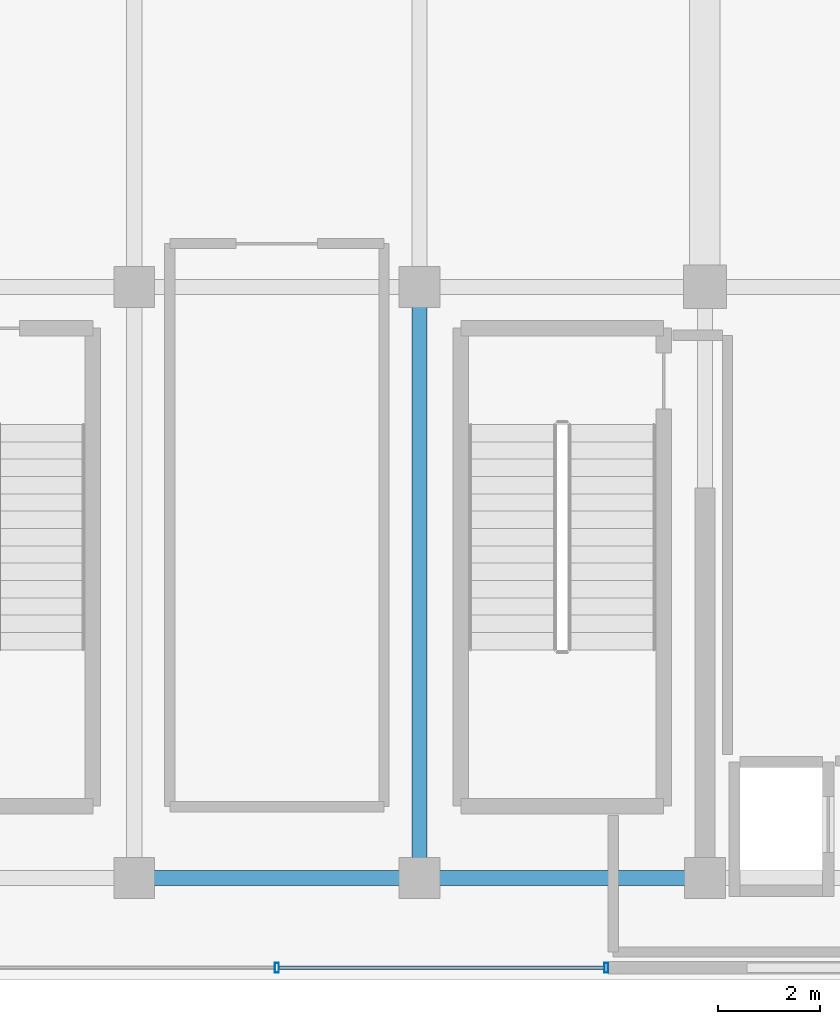
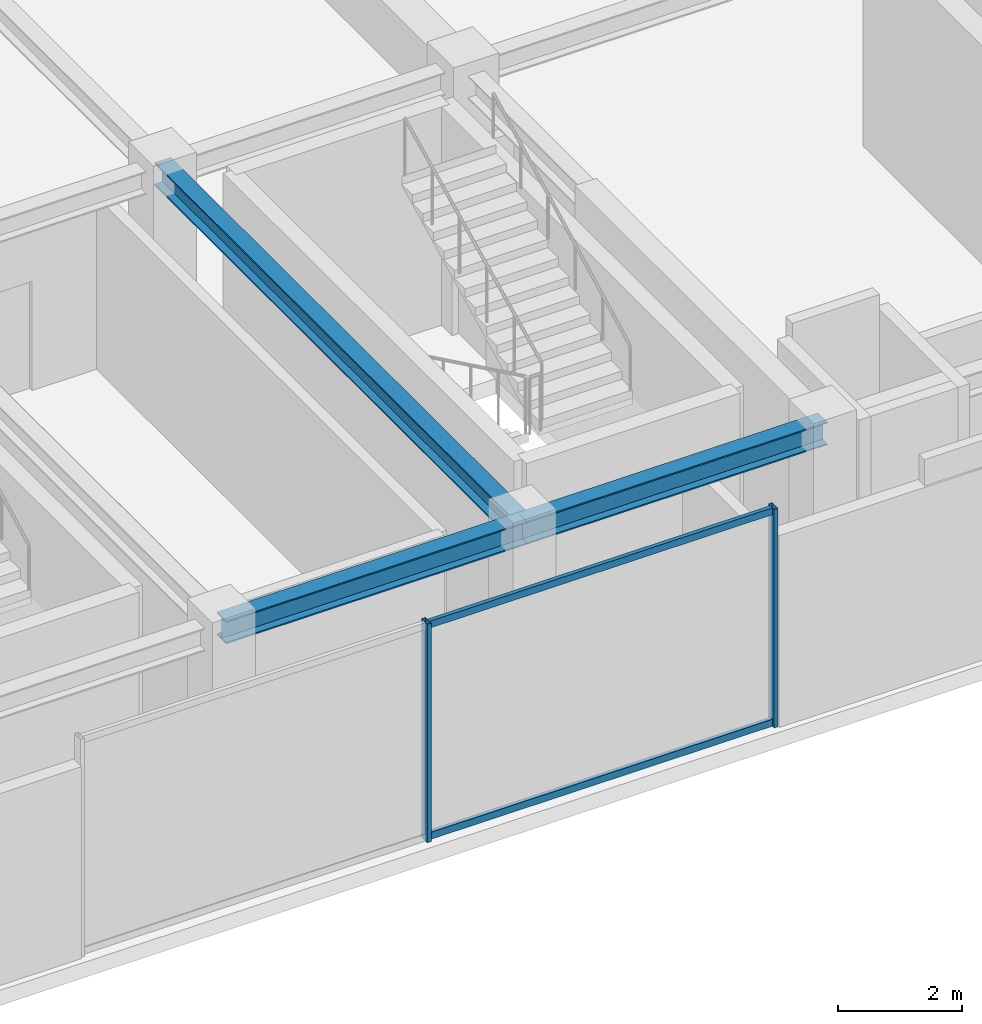
# One storey, part 4 of 18: 4 members, 3 beams, 1 element without a shape of its own.
"""IFC4 building model written with IfcOpenShell, lengths in metres."""

from ifc_helpers import new_model, si_unit, direction, frame, origin, origin_2d, place, context, subcontext, project, spatial, hollow_rectangle, i_section, extrude, source, transform, mapped, material, material_profile, profile_set, type_object, element, aggregate, save


model = new_model("IFC4")

# Units and contexts
model_context = context("Model", 3, precision=1e-05, world=origin(), true_north=direction((0.0, 1.0)))
body_context = subcontext(model_context, "Body", "Model", "MODEL_VIEW")
ifc_project = project(units=[si_unit("LENGTHUNIT", "METRE"), si_unit("AREAUNIT", "SQUARE_METRE"), si_unit("VOLUMEUNIT", "CUBIC_METRE"), si_unit("PLANEANGLEUNIT", "RADIAN"), si_unit("MASSUNIT", "GRAM", prefix="KILO")], contexts=[model_context])

# Site, building, storey
site_placement = place(None, origin())
site = spatial("IfcSite", under=ifc_project, at=site_placement, CompositionType="ELEMENT")
building_placement = place(site_placement, origin())
building = spatial("IfcBuilding", under=site, at=building_placement, Name="Nahalor Promenade Grand Hotel", CompositionType="ELEMENT")
storey_placement = place(building_placement, frame((0.0, 0.0, 366.25)))
storey = spatial("IfcBuildingStorey", under=building, at=storey_placement, Name="L93", CompositionType="ELEMENT", Elevation=366.25)

# Beams
ifc_material_1 = material(Name="Steel S355JR", Category="steel")
ifc_material_profile_1 = material_profile(ifc_material_1, i_section(OverallWidth=0.3, OverallDepth=0.45, WebThickness=0.014, FlangeThickness=0.026, at=origin_2d()), Name="HEB 450")
ifc_profile_set_1 = profile_set([ifc_material_profile_1], Name="Steel S355JR")
beam_type = type_object("IfcBeamType", Name="Beam-Girder-HEB450", PredefinedType="BEAM", material=ifc_profile_set_1)
shared_shape_1 = source(origin(), body_context, "Body", "SweptSolid", [
    extrude(i_section(OverallWidth=0.3, OverallDepth=0.45, WebThickness=0.014, FlangeThickness=0.026, at=origin_2d()), origin(), (0.0, 0.0, 1.0), 5.599853515625),
])
beam_1_placement = place(storey_placement, frame((2.800048828125, -17.0, 4.074951171875), z_axis=(1.0, 0.0, 0.0), x_axis=(0.0, 1.0, 0.0)))
element("IfcBeam", 1, at=beam_1_placement, inside=storey, type_object=beam_type, Name="BM-L93-GX-0-3", PredefinedType="BEAM", context=body_context, shape_type="MappedRepresentation", body=[
    mapped(shared_shape_1, transform((0.0, 0.0, 0.0), scale=1.0)),
])
shared_shape_2 = source(origin(), body_context, "Body", "SweptSolid", [
    extrude(i_section(OverallWidth=0.3, OverallDepth=0.45, WebThickness=0.014, FlangeThickness=0.026, at=origin_2d()), origin(), (0.0, 0.0, 1.0), 5.60009765625),
])
beam_2_placement = place(storey_placement, frame((-2.800048828125, -17.0, 4.074951171875), z_axis=(1.0, 0.0, 0.0), x_axis=(0.0, 1.0, 0.0)))
element("IfcBeam", 2, at=beam_2_placement, inside=storey, type_object=beam_type, Name="BM-L93-GX-0-2", PredefinedType="BEAM", context=body_context, shape_type="MappedRepresentation", body=[
    mapped(shared_shape_2, transform((0.0, 0.0, 0.0), scale=1.0)),
])
shared_shape_3 = source(origin(), body_context, "Body", "SweptSolid", [
    extrude(i_section(OverallWidth=0.3, OverallDepth=0.45, WebThickness=0.014, FlangeThickness=0.026, at=origin_2d()), origin(), (0.0, 0.0, 1.0), 11.60009765625),
])
beam_3_placement = place(storey_placement, frame((2.800048828125, -17.0, 4.074951171875), z_axis=(0.0, 1.0, 0.0), x_axis=(-1.0, 0.0, 0.0)))
element("IfcBeam", 3, at=beam_3_placement, inside=storey, type_object=beam_type, Name="BM-L93-GY-3-0", PredefinedType="BEAM", context=body_context, shape_type="MappedRepresentation", body=[
    mapped(shared_shape_3, transform((0.0, 0.0, 0.0), scale=1.0)),
])

# Curtain wall, members
ifc_material_2 = material(Name="Anodised Bronze Aluminium EN AW-6063 T6", Category="aluminium")
curtain_wall_type = type_object("IfcCurtainWallType", Name="CW6 Crown Botanical Conservatory Curtain Wall", PredefinedType="USERDEFINED", material=ifc_material_2)
curtain_wall_placement = place(storey_placement, origin())
curtain_wall = element("IfcCurtainWall", 4, at=curtain_wall_placement, inside=storey, type_object=curtain_wall_type, Name="L93 Curtain Wall CW-L93-S", ObjectType="UNITISED_CURTAIN_WALL", PredefinedType="USERDEFINED")
ifc_material_profile_2 = material_profile(ifc_material_2, hollow_rectangle(XDim=0.075, YDim=0.135, WallThickness=0.004, at=origin_2d()), Name="CWT 75x135x4")
ifc_profile_set_2 = profile_set([ifc_material_profile_2], Name="Anodised Bronze Aluminium EN AW-6063 T6")
member_type_1 = type_object("IfcMemberType", Name="CWT6 Conservatory Transom 75x135", PredefinedType="USERDEFINED", material=ifc_profile_set_2)
shared_shape_4 = source(origin(), body_context, "Body", "SweptSolid", [
    extrude(hollow_rectangle(XDim=0.075, YDim=0.135, WallThickness=0.004, at=origin_2d()), origin(), (0.0, 0.0, 1.0), 6.387451171875),
])
member_1_placement = place(storey_placement, frame((0.03759765625, -18.760009765625, 0.0673828125), z_axis=(1.0, 0.0, 0.0), x_axis=(0.0, 1.0, 0.0)))
member_1 = element("IfcMember", 5, at=member_1_placement, type_object=member_type_1, Name="CW-L93-S Transom 1-0", ObjectType="TRANSOM", PredefinedType="USERDEFINED", context=body_context, shape_type="MappedRepresentation", body=[
    mapped(shared_shape_4, transform((0.0, 0.0, 0.0), scale=1.0)),
])
member_2_placement = place(storey_placement, frame((0.03759765625, -18.760009765625, 4.232421875), z_axis=(1.0, 0.0, 0.0), x_axis=(0.0, 1.0, 0.0)))
member_2 = element("IfcMember", 6, at=member_2_placement, type_object=member_type_1, Name="CW-L93-S Transom 1-1", ObjectType="TRANSOM", PredefinedType="USERDEFINED", context=body_context, shape_type="MappedRepresentation", body=[
    mapped(shared_shape_4, transform((0.0, 0.0, 0.0), scale=1.0)),
])
ifc_material_profile_3 = material_profile(ifc_material_2, hollow_rectangle(XDim=0.075, YDim=0.19, WallThickness=0.005, at=origin_2d()), Name="CWM 75x190x5")
ifc_profile_set_3 = profile_set([ifc_material_profile_3], Name="Anodised Bronze Aluminium EN AW-6063 T6")
member_type_2 = type_object("IfcMemberType", Name="CWM6 Conservatory Bronze Mullion 75x190", PredefinedType="MULLION", material=ifc_profile_set_3)
shared_shape_5 = source(origin(), body_context, "Body", "SweptSolid", [
    extrude(hollow_rectangle(XDim=0.075, YDim=0.19, WallThickness=0.005, at=origin_2d()), origin(), (0.0, 0.0, 1.0), 4.300048828125),
])
member_3_placement = place(storey_placement, frame((0.0, -18.760009765625, 0.0), z_axis=(0.0, 0.0, 1.0), x_axis=(1.0, 0.0, 0.0)))
member_3 = element("IfcMember", 7, at=member_3_placement, type_object=member_type_2, Name="CW-L93-S Mullion 1", PredefinedType="MULLION", context=body_context, shape_type="MappedRepresentation", body=[
    mapped(shared_shape_5, transform((0.0, 0.0, 0.0), scale=1.0)),
])
member_4_placement = place(storey_placement, frame((6.46240234375, -18.760009765625, 0.0), z_axis=(0.0, 0.0, 1.0), x_axis=(1.0, 0.0, 0.0)))
member_4 = element("IfcMember", 8, at=member_4_placement, type_object=member_type_2, Name="CW-L93-S Mullion 2", PredefinedType="MULLION", context=body_context, shape_type="MappedRepresentation", body=[
    mapped(shared_shape_5, transform((0.0, 0.0, 0.0), scale=1.0)),
])
aggregate(curtain_wall, [member_3, member_4, member_1, member_2])

save(model, "model.ifc")
